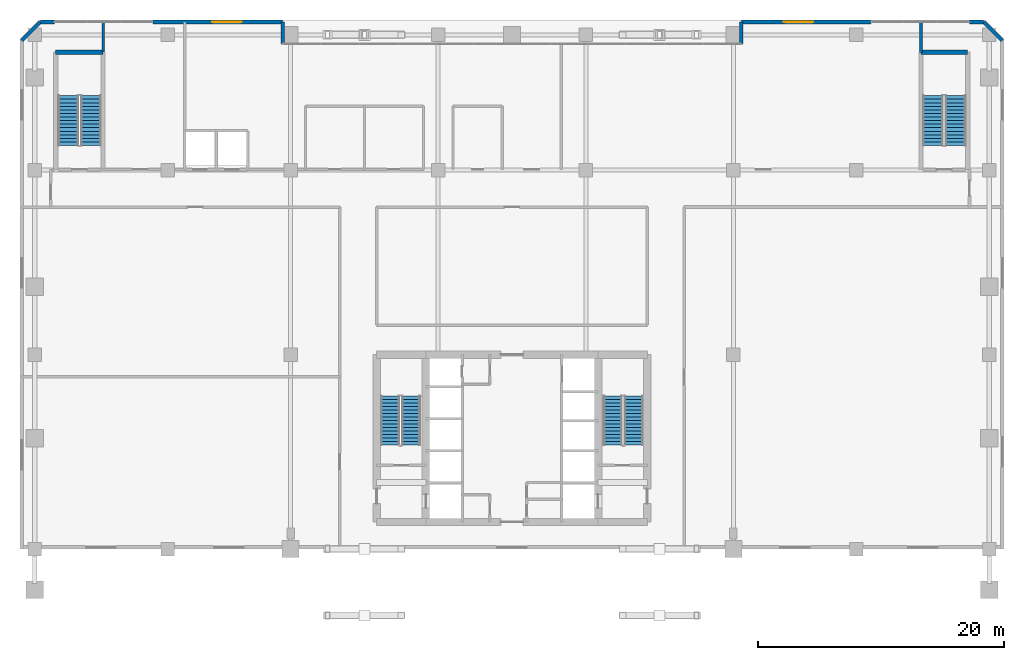
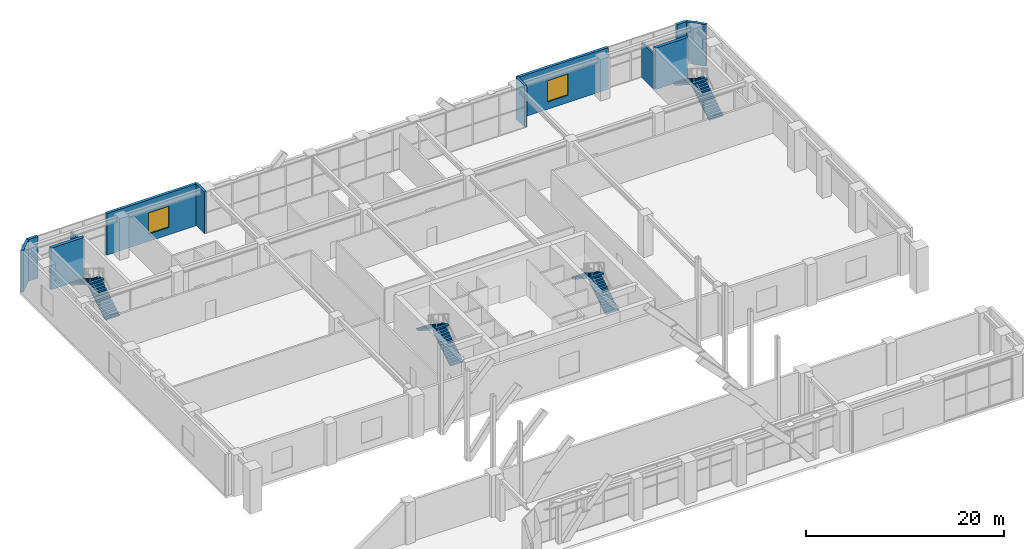
# One storey, part 25 of 28: 12 walls, 8 stair flights, 2 windows, 2 openings, 4 elements without a shape of their own.
"""IFC4 building model written with IfcOpenShell, lengths in metres."""

import ifcopenshell
import ifcopenshell.guid

model = None  # the IFC model being written
_history = None  # IfcOwnerHistory: only IFC2X3 demands one
_inside = {}  # id of a spatial element -> (the spatial element, [elements in it])
_under = {}  # id of a project, library or spatial element -> (it, [spatial elements below it])
_declared = {}  # id of a project -> (the project, [libraries it declares])
_typed = {}  # id of a type object -> (the type object, [elements of that type])
_made_of = {}  # id of a material, layer set ... -> (it, [elements and type objects made of it])


def new_model(schema):
    """Start an empty IFC model of exactly this schema.

    Asked for "IFC4X3", IfcOpenShell would pick the latest addendum, in which some entities
    have other attributes; the version numbers below select the first issue.
    IFC2X3 requires an IfcOwnerHistory on every rooted entity: one is made here for all.
    """
    global model, _history
    if schema == "IFC4X3":
        model = ifcopenshell.file(schema_version=(4, 3, 0, 0))
    else:
        model = ifcopenshell.file(schema=schema)
    _inside.clear()
    _under.clear()
    _declared.clear()
    _typed.clear()
    _made_of.clear()
    _history = None
    if model.schema == "IFC2X3":
        org = make("IfcOrganization", Name="unknown")
        user = make(
            "IfcPersonAndOrganization",
            ThePerson=make("IfcPerson", FamilyName="unknown"),
            TheOrganization=org,
        )
        app = make(
            "IfcApplication",
            ApplicationDeveloper=org,
            Version="unknown",
            ApplicationFullName="unknown",
            ApplicationIdentifier="unknown",
        )
        _history = make(
            "IfcOwnerHistory",
            OwningUser=user,
            OwningApplication=app,
            ChangeAction="ADDED",
            CreationDate=0,
        )
    return model


def make(cls, **values):
    """One entity of the class cls with the attributes given. An attribute that is None is left unset."""
    return model.create_entity(
        cls, **{name: value for name, value in values.items() if value is not None}
    )


def rooted(cls, **values):
    """An entity with a GlobalId (a new one), such as an element, a storey or a relation."""
    return make(cls, GlobalId=ifcopenshell.guid.new(), OwnerHistory=_history, **values)


def si_unit(unit_type, name, prefix=None):
    """IfcSIUnit, for example si_unit("LENGTHUNIT", "METRE", prefix="MILLI")."""
    return make("IfcSIUnit", UnitType=unit_type, Prefix=prefix, Name=name)


def assignment(units):
    """IfcUnitAssignment: the units of a project."""
    return None if units is None else make("IfcUnitAssignment", Units=units)


def point(xyz):
    """IfcCartesianPoint."""
    return None if xyz is None else make("IfcCartesianPoint", Coordinates=xyz)


def direction(xyz):
    """IfcDirection."""
    return None if xyz is None else make("IfcDirection", DirectionRatios=xyz)


def frame(location, z_axis=None, x_axis=None):
    """IfcAxis2Placement3D, a coordinate frame: its origin and axes. An axis left out is left unset."""
    return make(
        "IfcAxis2Placement3D",
        Location=point(location),
        Axis=direction(z_axis),
        RefDirection=direction(x_axis),
    )


def frame_2d(location, x_axis=None):
    """IfcAxis2Placement2D, a coordinate frame in the plane: its origin and x axis."""
    return make(
        "IfcAxis2Placement2D", Location=point(location), RefDirection=direction(x_axis)
    )


def origin():
    """The frame at (0, 0, 0) with its axes left unset."""
    return frame((0.0, 0.0, 0.0))


def place(relative_to, where):
    """IfcLocalPlacement: puts the frame where relative to a parent placement (None: the world)."""
    return make(
        "IfcLocalPlacement", PlacementRelTo=relative_to, RelativePlacement=where
    )


def context(
    kind, dimensions, precision=None, world=None, true_north=None, identifier=None
):
    """IfcGeometricRepresentationContext, for example the 3D "Model" context."""
    return make(
        "IfcGeometricRepresentationContext",
        ContextIdentifier=identifier,
        ContextType=kind,
        CoordinateSpaceDimension=dimensions,
        Precision=precision,
        WorldCoordinateSystem=world,
        TrueNorth=true_north,
    )


def subcontext(parent, identifier, kind, view, scale=None):
    """IfcGeometricRepresentationSubContext, for example "Body" below "Model"."""
    return make(
        "IfcGeometricRepresentationSubContext",
        ContextIdentifier=identifier,
        ContextType=kind,
        ParentContext=parent,
        TargetScale=scale,
        TargetView=view,
    )


def project(units=None, contexts=None):
    """IfcProject with its units and contexts."""
    return rooted(
        "IfcProject",
        Name="project",
        RepresentationContexts=contexts,
        UnitsInContext=assignment(units),
    )


def spatial(cls, under=None, at=None, **own):
    """A site, building, storey or space (cls), placed at a placement, below another one or the project."""
    s = rooted(cls, ObjectPlacement=at, **own)
    if under is not None:
        _under.setdefault(under.id(), (under, []))[1].append(s)
    return s


def polyline(points):
    """IfcPolyline through the points."""
    return make("IfcPolyline", Points=[point(p) for p in points])


def profile(cls, at=None, kind="AREA", **sizes):
    """A parametric profile (cls). Its sizes go by their IFC names, for example OverallWidth=200.0."""
    return make(cls, ProfileType=kind, Position=at, **sizes)


def rectangle(**sizes):
    """IfcRectangleProfileDef."""
    return profile("IfcRectangleProfileDef", **sizes)


def outline(outer, holes=None, kind="AREA"):
    """IfcArbitraryClosedProfileDef: a profile drawn as a closed curve; with holes, ...WithVoids."""
    if holes is None:
        return make("IfcArbitraryClosedProfileDef", ProfileType=kind, OuterCurve=outer)
    return make(
        "IfcArbitraryProfileDefWithVoids",
        ProfileType=kind,
        OuterCurve=outer,
        InnerCurves=holes,
    )


def extrude(swept, where, along, depth):
    """IfcExtrudedAreaSolid: the profile swept, set in the frame where, extruded along a direction by depth."""
    return make(
        "IfcExtrudedAreaSolid",
        SweptArea=swept,
        Position=where,
        ExtrudedDirection=direction(along),
        Depth=depth,
    )


def shape(context_of_items, identifier, shape_type, items):
    """IfcShapeRepresentation: the items that make up one representation, for example the "Body"."""
    return make(
        "IfcShapeRepresentation",
        ContextOfItems=context_of_items,
        RepresentationIdentifier=identifier,
        RepresentationType=shape_type,
        Items=items,
    )


def material(Name=None, Category=None):
    """IfcMaterial."""
    return make("IfcMaterial", Name=Name, Category=Category)


def layer(
    of_material, thickness, ventilated=None, Name=None, Category=None, Priority=None
):
    """IfcMaterialLayer: one layer of a wall or slab, of a material (None: an air gap)."""
    return make(
        "IfcMaterialLayer",
        Material=of_material,
        LayerThickness=thickness,
        IsVentilated=ventilated,
        Name=Name,
        Category=Category,
        Priority=Priority,
    )


def layer_set(layers, Name=None):
    """IfcMaterialLayerSet."""
    return make("IfcMaterialLayerSet", MaterialLayers=layers, LayerSetName=Name)


def made_of(thing, what):
    """Note that an element or type object is made of a material, layer set ...; save() writes the relation."""
    if what is not None:
        _made_of.setdefault(what.id(), (what, []))[1].append(thing)
    return thing


def type_object(cls, material=None, **own):
    """A type object (cls), such as IfcWallType, which elements share."""
    return made_of(rooted(cls, **own), material)


def element(
    cls,
    number,
    at=None,
    inside=None,
    cuts=None,
    type_object=None,
    material=None,
    context=None,
    identifier="Body",
    shape_type=None,
    held_by="IfcProductDefinitionShape",
    body=None,
    shapes=None,
    **own,
):
    """One element of the class cls, such as IfcWall. Its Tag is "e" and its number.

    at: its placement. inside: the storey or other place that contains it. cuts: it is an
    opening in that element (IfcRelVoidsElement). A single representation is given by context,
    identifier, shape_type and body (its items); several are given by shapes. held_by: the class
    of the entity that holds the representations. save() writes the other relations.
    """
    e = rooted(cls, Tag="e%d" % number, ObjectPlacement=at, **own)
    if body is not None:
        shapes = [shape(context, identifier, shape_type, body)]
    if shapes is not None:
        e.Representation = make(held_by, Representations=shapes)
    if inside is not None:
        _inside.setdefault(inside.id(), (inside, []))[1].append(e)
    if cuts is not None:
        rooted(
            "IfcRelVoidsElement", RelatingBuildingElement=cuts, RelatedOpeningElement=e
        )
    if type_object is not None:
        _typed.setdefault(type_object.id(), (type_object, []))[1].append(e)
    return made_of(e, material)


def fill(opening, filler):
    """IfcRelFillsElement: the door or window that sits in an opening."""
    return rooted(
        "IfcRelFillsElement",
        RelatingOpeningElement=opening,
        RelatedBuildingElement=filler,
    )


def aggregate(whole, parts):
    """IfcRelAggregates: a whole, such as a stair, and the parts it consists of."""
    return rooted("IfcRelAggregates", RelatingObject=whole, RelatedObjects=parts)


def save(model, path):
    """Write the relations noted so far, then the file.

    IfcRelAggregates (storeys below a building ...), IfcRelContainedInSpatialStructure (elements
    in a storey), IfcRelDefinesByType, IfcRelAssociatesMaterial and IfcRelDeclares: one each for
    every whole, place, type object, material and project.
    """
    for whole, parts in _under.values():
        aggregate(whole, parts)
    for where, things in _inside.values():
        rooted(
            "IfcRelContainedInSpatialStructure",
            RelatedElements=things,
            RelatingStructure=where,
        )
    for kind, things in _typed.values():
        rooted("IfcRelDefinesByType", RelatedObjects=things, RelatingType=kind)
    for what, things in _made_of.values():
        rooted("IfcRelAssociatesMaterial", RelatedObjects=things, RelatingMaterial=what)
    for by, libraries in _declared.values():
        rooted("IfcRelDeclares", RelatingContext=by, RelatedDefinitions=libraries)
    model.write(path)


model = new_model("IFC4")

# Units and contexts
model_context = context("Model", 3, precision=1e-05, world=origin(), true_north=direction((0.0, 1.0)))
body_context = subcontext(model_context, "Body", "Model", "MODEL_VIEW")
ifc_project = project(units=[si_unit("LENGTHUNIT", "METRE"), si_unit("AREAUNIT", "SQUARE_METRE"), si_unit("VOLUMEUNIT", "CUBIC_METRE"), si_unit("PLANEANGLEUNIT", "RADIAN"), si_unit("MASSUNIT", "GRAM", prefix="KILO")], contexts=[model_context])

# Site, building, storey
site_placement = place(None, origin())
site = spatial("IfcSite", under=ifc_project, at=site_placement, CompositionType="ELEMENT")
building_placement = place(site_placement, origin())
building = spatial("IfcBuilding", under=site, at=building_placement, Name="Sarneth Arch Tower", CompositionType="ELEMENT")
storey_placement = place(building_placement, frame((0.0, 0.0, 6.0)))
storey = spatial("IfcBuildingStorey", under=building, at=storey_placement, Name="L01", CompositionType="ELEMENT", Elevation=6.0)

# Walls
ifc_material_1 = material(Name="Concrete C50/60", Category="concrete")
ifc_layer_1 = layer(ifc_material_1, 0.35009765625)
ifc_layer_set_1 = layer_set([ifc_layer_1], Name="Concrete C50/60")
wall_type_1 = type_object("IfcWallType", Name="WALL-CORE-350", PredefinedType="SHEAR", material=ifc_layer_set_1)
wall_1_placement = place(storey_placement, frame((10.89990234375, 73.39990234375, 0.0), z_axis=(0.0, 0.0, 1.0), x_axis=(1.0, 0.0, 0.0)))
element("IfcWall", 1, at=wall_1_placement, inside=storey, type_object=wall_type_1, Name="L01 Podium stair core wall STP1-N", PredefinedType="SHEAR", context=body_context, shape_type="SweptSolid", body=[
    extrude(rectangle(XDim=3.85009765625, YDim=0.35009765625, at=frame_2d((1.925048828125, 0.0))), origin(), (0.0, 0.0, 1.0), 5.1201171875),
])
wall_2_placement = place(storey_placement, frame((81.25, 73.39990234375, 0.0), z_axis=(0.0, 0.0, 1.0), x_axis=(1.0, 0.0, 0.0)))
element("IfcWall", 2, at=wall_2_placement, inside=storey, type_object=wall_type_1, Name="L01 Podium stair core wall STP2-N", PredefinedType="SHEAR", context=body_context, shape_type="SweptSolid", body=[
    extrude(rectangle(XDim=3.800048828125, YDim=0.35009765625, at=frame_2d((1.89990234375, 0.0))), origin(), (0.0, 0.0, 1.0), 5.1201171875),
])
ifc_material_2 = material(Name="Extruded terracotta rainscreen on Concrete C40/50 backing", Category="masonry")
ifc_layer_2 = layer(ifc_material_2, 0.280029296875)
ifc_layer_set_2 = layer_set([ifc_layer_2], Name="Extruded terracotta rainscreen on Concrete C40/50 backing")
wall_type_2 = type_object("IfcWallType", Name="WALL-EXT-TERRA-280", PredefinedType="SOLIDWALL", material=ifc_layer_set_2)
for number, where, z_axis, x_axis, name in (
    (3, (66.64990234375, 75.85009765625, 0.0), (0.0, 0.0, 1.0), (0.0, -1.0, 0.0), "L01 North-east arch portal return"),
    (4, (29.35009765625, 74.050048828125, 0.0), (0.0, 0.0, 1.0), (0.0, 1.0, 0.0), "L01 North-west arch portal return"),
):
    element("IfcWall", number, at=place(storey_placement, frame(where, z_axis=z_axis, x_axis=x_axis)), inside=storey, type_object=wall_type_2, Name=name, PredefinedType="SOLIDWALL", context=body_context, shape_type="SweptSolid", body=[
        extrude(rectangle(XDim=1.800048828125, YDim=0.280029296875, at=frame_2d((0.89990234375, 0.0))), origin(), (0.0, 0.0, 1.0), 5.1201171875),
    ])
for number, where, z_axis, x_axis, name in (
    (5, (87.85009765625, 74.35009765625, 0.0), (0.0, 0.0, 1.0), (-0.707106781187, 0.707106781187, 0.0), "L01 Podium chamfer terracotta wall NE"),
    (6, (9.64990234375, 75.85009765625, 0.0), (0.0, 0.0, 1.0), (-0.707106781187, -0.707106781187, 0.0), "L01 Podium chamfer terracotta wall NW"),
):
    element("IfcWall", number, at=place(storey_placement, frame(where, z_axis=z_axis, x_axis=x_axis)), inside=storey, type_object=wall_type_2, Name=name, PredefinedType="SOLIDWALL", context=body_context, shape_type="SweptSolid", body=[
        extrude(rectangle(XDim=2.121337890625, YDim=0.280029296875, at=frame_2d((1.060546875, 0.0))), origin(), (0.0, 0.0, 1.0), 5.1201171875),
    ])
ifc_material_3 = material(Name="Extruded terracotta rainscreen on Concrete C40/50 backing", Category="masonry")
ifc_layer_3 = layer(ifc_material_3, 0.320068359375)
ifc_layer_set_3 = layer_set([ifc_layer_3], Name="Extruded terracotta rainscreen on Concrete C40/50 backing")
wall_type_3 = type_object("IfcWallType", Name="WALL-EXT-TERRA-320", PredefinedType="SOLIDWALL", material=ifc_layer_set_3)
for number, where, z_axis, x_axis, name in (
    (7, (86.35009765625, 75.85009765625, 0.0), (0.0, 0.0, 1.0), (-1.0, 0.0, 0.0), "L01 North-east pier"),
    (8, (10.800048828125, 75.85009765625, 0.0), (0.0, 0.0, 1.0), (-1.0, 0.0, 0.0), "L01 North-west pier"),
):
    element("IfcWall", number, at=place(storey_placement, frame(where, z_axis=z_axis, x_axis=x_axis)), inside=storey, type_object=wall_type_3, Name=name, PredefinedType="SOLIDWALL", context=body_context, shape_type="SweptSolid", body=[
        extrude(rectangle(XDim=1.150146484375, YDim=0.320068359375, at=frame_2d((0.5751953125, 0.0))), origin(), (0.0, 0.0, 1.0), 5.1201171875),
    ])

# Wall, opening, window
wall_3_placement = place(storey_placement, frame((66.64990234375, 75.85009765625, 0.0), z_axis=(0.0, 0.0, 1.0), x_axis=(1.0, 0.0, 0.0)))
wall_3 = element("IfcWall", 9, at=wall_3_placement, inside=storey, type_object=wall_type_3, Name="L01 North-east podium wing wall", PredefinedType="SOLIDWALL", context=body_context, shape_type="SweptSolid", body=[
    extrude(rectangle(XDim=10.550048828125, YDim=0.320068359375, at=frame_2d((5.27490234375, 0.0))), origin(), (0.0, 0.0, 1.0), 5.1201171875),
])
opening_1_placement = place(wall_3_placement, frame((3.449951171875, 0.0, 0.89990234375)))
opening_1 = element("IfcOpeningElement", 10, at=opening_1_placement, cuts=wall_3, Name="Opening W-02", PredefinedType="OPENING", context=body_context, shape_type="SweptSolid", body=[
    extrude(rectangle(XDim=2.39990234375, YDim=2.60009765625, at=frame_2d((1.199951171875, 1.300048828125))), frame((0.0, 0.169921875, 0.0), z_axis=(0.0, -1.0, 0.0), x_axis=(1.0, 0.0, 0.0)), (0.0, 0.0, 1.0), 0.340087890625),
])
ifc_material_4 = material(Name="Thermally broken Aluminium 6063-T6 and low-e laminated IGU", Category="aluminium")
window_type = type_object("IfcWindowType", Name="WIN-POD-2400x2600", PartitioningType="DOUBLE_PANEL_VERTICAL", PredefinedType="WINDOW", material=ifc_material_4)
window_1_placement = place(opening_1_placement, origin())
window_1 = element("IfcWindow", 11, at=window_1_placement, inside=storey, type_object=window_type, Name="L01 North wing window 1.1", OverallHeight=2.60009765625, OverallWidth=2.39990234375, PartitioningType="SINGLE_PANEL", PredefinedType="WINDOW", context=body_context, shape_type="SweptSolid", body=[
    extrude(rectangle(XDim=2.39990234375, YDim=2.60009765625, at=frame_2d((1.199951171875, 1.300048828125))), frame((0.0, 0.030029296875, 0.0), z_axis=(0.0, -1.0, 0.0), x_axis=(1.0, 0.0, 0.0)), (0.0, 0.0, 1.0), 0.06005859375),
])
fill(opening_1, window_1)

wall_4_placement = place(storey_placement, frame((18.800048828125, 75.85009765625, 0.0), z_axis=(0.0, 0.0, 1.0), x_axis=(1.0, 0.0, 0.0)))
wall_4 = element("IfcWall", 12, at=wall_4_placement, inside=storey, type_object=wall_type_3, Name="L01 North-west podium wing wall", PredefinedType="SOLIDWALL", context=body_context, shape_type="SweptSolid", body=[
    extrude(rectangle(XDim=10.550048828125, YDim=0.320068359375, at=frame_2d((5.27490234375, 0.0))), origin(), (0.0, 0.0, 1.0), 5.1201171875),
])
opening_2_placement = place(wall_4_placement, frame((4.824951171875, 0.0, 0.89990234375)))
opening_2 = element("IfcOpeningElement", 13, at=opening_2_placement, cuts=wall_4, Name="Opening W-02", PredefinedType="OPENING", context=body_context, shape_type="SweptSolid", body=[
    extrude(rectangle(XDim=2.39990234375, YDim=2.60009765625, at=frame_2d((1.199951171875, 1.300048828125))), frame((0.0, 0.169921875, 0.0), z_axis=(0.0, -1.0, 0.0), x_axis=(1.0, 0.0, 0.0)), (0.0, 0.0, 1.0), 0.340087890625),
])
window_2_placement = place(opening_2_placement, origin())
window_2 = element("IfcWindow", 14, at=window_2_placement, inside=storey, type_object=window_type, Name="L01 North wing window 2.1", OverallHeight=2.60009765625, OverallWidth=2.39990234375, PartitioningType="SINGLE_PANEL", PredefinedType="WINDOW", context=body_context, shape_type="SweptSolid", body=[
    extrude(rectangle(XDim=2.39990234375, YDim=2.60009765625, at=frame_2d((1.199951171875, 1.300048828125))), frame((0.0, 0.030029296875, 0.0), z_axis=(0.0, -1.0, 0.0), x_axis=(1.0, 0.0, 0.0)), (0.0, 0.0, 1.0), 0.06005859375),
])
fill(opening_2, window_2)

# Walls
ifc_material_5 = material(Name="Aerated concrete blockwork C25/30", Category="masonry")
ifc_layer_4 = layer(ifc_material_5, 0.219970703125)
ifc_layer_set_4 = layer_set([ifc_layer_4], Name="Aerated concrete blockwork C25/30")
wall_type_4 = type_object("IfcWallType", Name="WALL-FIRE-220", PredefinedType="SOLIDWALL", material=ifc_layer_set_4)
wall_5_placement = place(storey_placement, frame((81.25, 75.85009765625, 0.0), z_axis=(0.0, 0.0, 1.0), x_axis=(0.0, -1.0, 0.0)))
element("IfcWall", 15, at=wall_5_placement, inside=storey, type_object=wall_type_4, Name="L01 Interior partition W-L01-TP-034", PredefinedType="SOLIDWALL", context=body_context, shape_type="SweptSolid", body=[
    extrude(rectangle(XDim=2.482177734375, YDim=0.219970703125, at=frame_2d((1.2412109375, 0.0))), origin(), (0.0, 0.0, 1.0), 4.320068359375),
])
ifc_material_6 = material(Name="Double steel-stud acoustic drywall", Category="steel")
ifc_layer_5 = layer(ifc_material_6, 0.199951171875)
ifc_layer_set_5 = layer_set([ifc_layer_5], Name="Double steel-stud acoustic drywall")
wall_type_5 = type_object("IfcWallType", Name="WALL-UNIT-200", PredefinedType="PARTITIONING", material=ifc_layer_set_5)
wall_6_placement = place(storey_placement, frame((14.75, 75.85009765625, 0.0), z_axis=(0.0, 0.0, 1.0), x_axis=(0.0, -1.0, 0.0)))
element("IfcWall", 16, at=wall_6_placement, inside=storey, type_object=wall_type_5, Name="L01 Interior partition W-L01-TP-035", PredefinedType="PARTITIONING", context=body_context, shape_type="SweptSolid", body=[
    extrude(rectangle(XDim=2.4501953125, YDim=0.199951171875, at=frame_2d((1.22509765625, 0.0))), origin(), (0.0, 0.0, 1.0), 4.320068359375),
])

# Stair, stair flights
ifc_material_7 = material(Name="Concrete C50/60", Category="concrete")
stair_type_1 = type_object("IfcStairType", Name="STAIR-CORE-RC", PredefinedType="HALF_TURN_STAIR", material=ifc_material_7)
stair_1_placement = place(storey_placement, origin())
stair_1 = element("IfcStair", 17, at=stair_1_placement, inside=storey, type_object=stair_type_1, Name="L01 Core Exit Stair 1", PredefinedType="HALF_TURN_STAIR")
ifc_material_8 = material(Name="Concrete C50/60", Category="concrete")
stair_flight_type_1 = type_object("IfcStairFlightType", Name="FLIGHT-RC-1500", PredefinedType="STRAIGHT", material=ifc_material_8)
stair_flight_1_placement = place(storey_placement, frame((39.800048828125, 41.449951171875, 0.0), z_axis=(0.0, 0.0, 1.0), x_axis=(0.0, 1.0, 0.0)))
stair_flight_1 = element("IfcStairFlight", 18, at=stair_flight_1_placement, type_object=stair_flight_type_1, Name="ST-1 flight 1", NumberOfRisers=15, NumberOfTreads=14, PredefinedType="STRAIGHT", RiserHeight=0.18, TreadLength=0.285, context=body_context, shape_type="SweptSolid", body=[
    extrude(outline(polyline([(0.0, 0.0), (0.0, 0.179931640625), (0.284912109375, 0.179931640625), (0.284912109375, 0.360107421875), (0.570068359375, 0.360107421875), (0.570068359375, 0.5400390625), (0.85498046875, 0.5400390625), (0.85498046875, 0.719970703125), (1.139892578125, 0.719970703125), (1.139892578125, 0.89990234375), (1.425048828125, 0.89990234375), (1.425048828125, 1.080078125), (1.7099609375, 1.080078125), (1.7099609375, 1.260009765625), (1.9951171875, 1.260009765625), (1.9951171875, 1.43994140625), (2.280029296875, 1.43994140625), (2.280029296875, 1.6201171875), (2.56494140625, 1.6201171875), (2.56494140625, 1.800048828125), (2.85009765625, 1.800048828125), (2.85009765625, 1.97998046875), (3.135009765625, 1.97998046875), (3.135009765625, 2.159912109375), (3.419921875, 2.159912109375), (3.419921875, 2.340087890625), (3.705078125, 2.340087890625), (3.705078125, 2.52001953125), (3.989990234375, 2.52001953125), (3.989990234375, 2.699951171875), (3.989990234375, 2.3427734375), (0.28076171875, 0.0), (0.0, 0.0)])), frame((0.0, 0.75, 0.0), z_axis=(0.0, -1.0, 0.0), x_axis=(1.0, 0.0, 0.0)), (0.0, 0.0, 1.0), 1.5),
])
stair_flight_2_placement = place(storey_placement, frame((38.10009765625, 45.43994140625, 2.699951171875), z_axis=(0.0, 0.0, 1.0), x_axis=(0.0, -1.0, 0.0)))
stair_flight_2 = element("IfcStairFlight", 19, at=stair_flight_2_placement, type_object=stair_flight_type_1, Name="ST-1 flight 2", NumberOfRisers=15, NumberOfTreads=14, PredefinedType="STRAIGHT", RiserHeight=0.18, TreadLength=0.285, context=body_context, shape_type="SweptSolid", body=[
    extrude(outline(polyline([(0.0, 0.0), (0.0, 0.179931640625), (0.284912109375, 0.179931640625), (0.284912109375, 0.360107421875), (0.570068359375, 0.360107421875), (0.570068359375, 0.5400390625), (0.85498046875, 0.5400390625), (0.85498046875, 0.719970703125), (1.139892578125, 0.719970703125), (1.139892578125, 0.89990234375), (1.425048828125, 0.89990234375), (1.425048828125, 1.080078125), (1.7099609375, 1.080078125), (1.7099609375, 1.260009765625), (1.9951171875, 1.260009765625), (1.9951171875, 1.43994140625), (2.280029296875, 1.43994140625), (2.280029296875, 1.6201171875), (2.56494140625, 1.6201171875), (2.56494140625, 1.800048828125), (2.85009765625, 1.800048828125), (2.85009765625, 1.97998046875), (3.135009765625, 1.97998046875), (3.135009765625, 2.159912109375), (3.419921875, 2.159912109375), (3.419921875, 2.340087890625), (3.705078125, 2.340087890625), (3.705078125, 2.52001953125), (3.989990234375, 2.52001953125), (3.989990234375, 2.699951171875), (3.989990234375, 2.3427734375), (0.28076171875, 0.0), (0.0, 0.0)])), frame((0.0, 0.75, 0.0), z_axis=(0.0, -1.0, 0.0), x_axis=(1.0, 0.0, 0.0)), (0.0, 0.0, 1.0), 1.5),
])
aggregate(stair_1, [stair_flight_1, stair_flight_2])

stair_2_placement = place(storey_placement, origin())
stair_2 = element("IfcStair", 20, at=stair_2_placement, inside=storey, type_object=stair_type_1, Name="L01 Core Exit Stair 2", PredefinedType="HALF_TURN_STAIR")
stair_flight_3_placement = place(storey_placement, frame((57.89990234375, 41.449951171875, 0.0), z_axis=(0.0, 0.0, 1.0), x_axis=(0.0, 1.0, 0.0)))
stair_flight_3 = element("IfcStairFlight", 21, at=stair_flight_3_placement, type_object=stair_flight_type_1, Name="ST-2 flight 1", NumberOfRisers=15, NumberOfTreads=14, PredefinedType="STRAIGHT", RiserHeight=0.18, TreadLength=0.285, context=body_context, shape_type="SweptSolid", body=[
    extrude(outline(polyline([(0.0, 0.0), (0.0, 0.179931640625), (0.284912109375, 0.179931640625), (0.284912109375, 0.360107421875), (0.570068359375, 0.360107421875), (0.570068359375, 0.5400390625), (0.85498046875, 0.5400390625), (0.85498046875, 0.719970703125), (1.139892578125, 0.719970703125), (1.139892578125, 0.89990234375), (1.425048828125, 0.89990234375), (1.425048828125, 1.080078125), (1.7099609375, 1.080078125), (1.7099609375, 1.260009765625), (1.9951171875, 1.260009765625), (1.9951171875, 1.43994140625), (2.280029296875, 1.43994140625), (2.280029296875, 1.6201171875), (2.56494140625, 1.6201171875), (2.56494140625, 1.800048828125), (2.85009765625, 1.800048828125), (2.85009765625, 1.97998046875), (3.135009765625, 1.97998046875), (3.135009765625, 2.159912109375), (3.419921875, 2.159912109375), (3.419921875, 2.340087890625), (3.705078125, 2.340087890625), (3.705078125, 2.52001953125), (3.989990234375, 2.52001953125), (3.989990234375, 2.699951171875), (3.989990234375, 2.3427734375), (0.28076171875, 0.0), (0.0, 0.0)])), frame((0.0, 0.75, 0.0), z_axis=(0.0, -1.0, 0.0), x_axis=(1.0, 0.0, 0.0)), (0.0, 0.0, 1.0), 1.5),
])
stair_flight_4_placement = place(storey_placement, frame((56.199951171875, 45.43994140625, 2.699951171875), z_axis=(0.0, 0.0, 1.0), x_axis=(0.0, -1.0, 0.0)))
stair_flight_4 = element("IfcStairFlight", 22, at=stair_flight_4_placement, type_object=stair_flight_type_1, Name="ST-2 flight 2", NumberOfRisers=15, NumberOfTreads=14, PredefinedType="STRAIGHT", RiserHeight=0.18, TreadLength=0.285, context=body_context, shape_type="SweptSolid", body=[
    extrude(outline(polyline([(0.0, 0.0), (0.0, 0.179931640625), (0.284912109375, 0.179931640625), (0.284912109375, 0.360107421875), (0.570068359375, 0.360107421875), (0.570068359375, 0.5400390625), (0.85498046875, 0.5400390625), (0.85498046875, 0.719970703125), (1.139892578125, 0.719970703125), (1.139892578125, 0.89990234375), (1.425048828125, 0.89990234375), (1.425048828125, 1.080078125), (1.7099609375, 1.080078125), (1.7099609375, 1.260009765625), (1.9951171875, 1.260009765625), (1.9951171875, 1.43994140625), (2.280029296875, 1.43994140625), (2.280029296875, 1.6201171875), (2.56494140625, 1.6201171875), (2.56494140625, 1.800048828125), (2.85009765625, 1.800048828125), (2.85009765625, 1.97998046875), (3.135009765625, 1.97998046875), (3.135009765625, 2.159912109375), (3.419921875, 2.159912109375), (3.419921875, 2.340087890625), (3.705078125, 2.340087890625), (3.705078125, 2.52001953125), (3.989990234375, 2.52001953125), (3.989990234375, 2.699951171875), (3.989990234375, 2.3427734375), (0.28076171875, 0.0), (0.0, 0.0)])), frame((0.0, 0.75, 0.0), z_axis=(0.0, -1.0, 0.0), x_axis=(1.0, 0.0, 0.0)), (0.0, 0.0, 1.0), 1.5),
])
aggregate(stair_2, [stair_flight_3, stair_flight_4])

ifc_material_9 = material(Name="Concrete C50/60", Category="concrete")
stair_type_2 = type_object("IfcStairType", Name="STAIR-PODIUM-RC", PredefinedType="HALF_TURN_STAIR", material=ifc_material_9)
stair_3_placement = place(storey_placement, origin())
stair_3 = element("IfcStair", 23, at=stair_3_placement, inside=storey, type_object=stair_type_2, Name="L01 Podium Exit Stair P1", PredefinedType="HALF_TURN_STAIR")
ifc_material_10 = material(Name="Concrete C50/60", Category="concrete")
stair_flight_type_2 = type_object("IfcStairFlightType", Name="FLIGHT-RC-1650", PredefinedType="STRAIGHT", material=ifc_material_10)
stair_flight_5_placement = place(storey_placement, frame((13.77490234375, 65.800048828125, 0.0), z_axis=(0.0, 0.0, 1.0), x_axis=(0.0, 1.0, 0.0)))
stair_flight_5 = element("IfcStairFlight", 24, at=stair_flight_5_placement, type_object=stair_flight_type_2, Name="ST-P1 flight 1", NumberOfRisers=15, NumberOfTreads=14, PredefinedType="STRAIGHT", RiserHeight=0.18, TreadLength=0.29, context=body_context, shape_type="SweptSolid", body=[
    extrude(outline(polyline([(0.0, 0.0), (0.0, 0.179931640625), (0.2900390625, 0.179931640625), (0.2900390625, 0.360107421875), (0.580078125, 0.360107421875), (0.580078125, 0.5400390625), (0.8701171875, 0.5400390625), (0.8701171875, 0.719970703125), (1.159912109375, 0.719970703125), (1.159912109375, 0.89990234375), (1.449951171875, 0.89990234375), (1.449951171875, 1.080078125), (1.739990234375, 1.080078125), (1.739990234375, 1.260009765625), (2.030029296875, 1.260009765625), (2.030029296875, 1.43994140625), (2.320068359375, 1.43994140625), (2.320068359375, 1.6201171875), (2.610107421875, 1.6201171875), (2.610107421875, 1.800048828125), (2.89990234375, 1.800048828125), (2.89990234375, 1.97998046875), (3.18994140625, 1.97998046875), (3.18994140625, 2.159912109375), (3.47998046875, 2.159912109375), (3.47998046875, 2.340087890625), (3.77001953125, 2.340087890625), (3.77001953125, 2.52001953125), (4.06005859375, 2.52001953125), (4.06005859375, 2.699951171875), (4.06005859375, 2.343505859375), (0.2841796875, 0.0), (0.0, 0.0)])), frame((0.0, 0.824951171875, 0.0), z_axis=(0.0, -1.0, 0.0), x_axis=(1.0, 0.0, 0.0)), (0.0, 0.0, 1.0), 1.64990234375),
])
stair_flight_6_placement = place(storey_placement, frame((11.925048828125, 69.860107421875, 2.699951171875), z_axis=(0.0, 0.0, 1.0), x_axis=(0.0, -1.0, 0.0)))
stair_flight_6 = element("IfcStairFlight", 25, at=stair_flight_6_placement, type_object=stair_flight_type_2, Name="ST-P1 flight 2", NumberOfRisers=15, NumberOfTreads=14, PredefinedType="STRAIGHT", RiserHeight=0.18, TreadLength=0.29, context=body_context, shape_type="SweptSolid", body=[
    extrude(outline(polyline([(0.0, 0.0), (0.0, 0.179931640625), (0.2900390625, 0.179931640625), (0.2900390625, 0.360107421875), (0.580078125, 0.360107421875), (0.580078125, 0.5400390625), (0.8701171875, 0.5400390625), (0.8701171875, 0.719970703125), (1.159912109375, 0.719970703125), (1.159912109375, 0.89990234375), (1.449951171875, 0.89990234375), (1.449951171875, 1.080078125), (1.739990234375, 1.080078125), (1.739990234375, 1.260009765625), (2.030029296875, 1.260009765625), (2.030029296875, 1.43994140625), (2.320068359375, 1.43994140625), (2.320068359375, 1.6201171875), (2.610107421875, 1.6201171875), (2.610107421875, 1.800048828125), (2.89990234375, 1.800048828125), (2.89990234375, 1.97998046875), (3.18994140625, 1.97998046875), (3.18994140625, 2.159912109375), (3.47998046875, 2.159912109375), (3.47998046875, 2.340087890625), (3.77001953125, 2.340087890625), (3.77001953125, 2.52001953125), (4.06005859375, 2.52001953125), (4.06005859375, 2.699951171875), (4.06005859375, 2.343505859375), (0.2841796875, 0.0), (0.0, 0.0)])), frame((0.0, 0.824951171875, 0.0), z_axis=(0.0, -1.0, 0.0), x_axis=(1.0, 0.0, 0.0)), (0.0, 0.0, 1.0), 1.64990234375),
])
aggregate(stair_3, [stair_flight_5, stair_flight_6])

stair_4_placement = place(storey_placement, origin())
stair_4 = element("IfcStair", 26, at=stair_4_placement, inside=storey, type_object=stair_type_2, Name="L01 Podium Exit Stair P2", PredefinedType="HALF_TURN_STAIR")
stair_flight_7_placement = place(storey_placement, frame((84.074951171875, 65.800048828125, 0.0), z_axis=(0.0, 0.0, 1.0), x_axis=(0.0, 1.0, 0.0)))
stair_flight_7 = element("IfcStairFlight", 27, at=stair_flight_7_placement, type_object=stair_flight_type_2, Name="ST-P2 flight 1", NumberOfRisers=15, NumberOfTreads=14, PredefinedType="STRAIGHT", RiserHeight=0.18, TreadLength=0.29, context=body_context, shape_type="SweptSolid", body=[
    extrude(outline(polyline([(0.0, 0.0), (0.0, 0.179931640625), (0.2900390625, 0.179931640625), (0.2900390625, 0.360107421875), (0.580078125, 0.360107421875), (0.580078125, 0.5400390625), (0.8701171875, 0.5400390625), (0.8701171875, 0.719970703125), (1.159912109375, 0.719970703125), (1.159912109375, 0.89990234375), (1.449951171875, 0.89990234375), (1.449951171875, 1.080078125), (1.739990234375, 1.080078125), (1.739990234375, 1.260009765625), (2.030029296875, 1.260009765625), (2.030029296875, 1.43994140625), (2.320068359375, 1.43994140625), (2.320068359375, 1.6201171875), (2.610107421875, 1.6201171875), (2.610107421875, 1.800048828125), (2.89990234375, 1.800048828125), (2.89990234375, 1.97998046875), (3.18994140625, 1.97998046875), (3.18994140625, 2.159912109375), (3.47998046875, 2.159912109375), (3.47998046875, 2.340087890625), (3.77001953125, 2.340087890625), (3.77001953125, 2.52001953125), (4.06005859375, 2.52001953125), (4.06005859375, 2.699951171875), (4.06005859375, 2.343505859375), (0.2841796875, 0.0), (0.0, 0.0)])), frame((0.0, 0.824951171875, 0.0), z_axis=(0.0, -1.0, 0.0), x_axis=(1.0, 0.0, 0.0)), (0.0, 0.0, 1.0), 1.64990234375),
])
stair_flight_8_placement = place(storey_placement, frame((82.22509765625, 69.860107421875, 2.699951171875), z_axis=(0.0, 0.0, 1.0), x_axis=(0.0, -1.0, 0.0)))
stair_flight_8 = element("IfcStairFlight", 28, at=stair_flight_8_placement, type_object=stair_flight_type_2, Name="ST-P2 flight 2", NumberOfRisers=15, NumberOfTreads=14, PredefinedType="STRAIGHT", RiserHeight=0.18, TreadLength=0.29, context=body_context, shape_type="SweptSolid", body=[
    extrude(outline(polyline([(0.0, 0.0), (0.0, 0.179931640625), (0.2900390625, 0.179931640625), (0.2900390625, 0.360107421875), (0.580078125, 0.360107421875), (0.580078125, 0.5400390625), (0.8701171875, 0.5400390625), (0.8701171875, 0.719970703125), (1.159912109375, 0.719970703125), (1.159912109375, 0.89990234375), (1.449951171875, 0.89990234375), (1.449951171875, 1.080078125), (1.739990234375, 1.080078125), (1.739990234375, 1.260009765625), (2.030029296875, 1.260009765625), (2.030029296875, 1.43994140625), (2.320068359375, 1.43994140625), (2.320068359375, 1.6201171875), (2.610107421875, 1.6201171875), (2.610107421875, 1.800048828125), (2.89990234375, 1.800048828125), (2.89990234375, 1.97998046875), (3.18994140625, 1.97998046875), (3.18994140625, 2.159912109375), (3.47998046875, 2.159912109375), (3.47998046875, 2.340087890625), (3.77001953125, 2.340087890625), (3.77001953125, 2.52001953125), (4.06005859375, 2.52001953125), (4.06005859375, 2.699951171875), (4.06005859375, 2.343505859375), (0.2841796875, 0.0), (0.0, 0.0)])), frame((0.0, 0.824951171875, 0.0), z_axis=(0.0, -1.0, 0.0), x_axis=(1.0, 0.0, 0.0)), (0.0, 0.0, 1.0), 1.64990234375),
])
aggregate(stair_4, [stair_flight_7, stair_flight_8])

save(model, "model.ifc")
